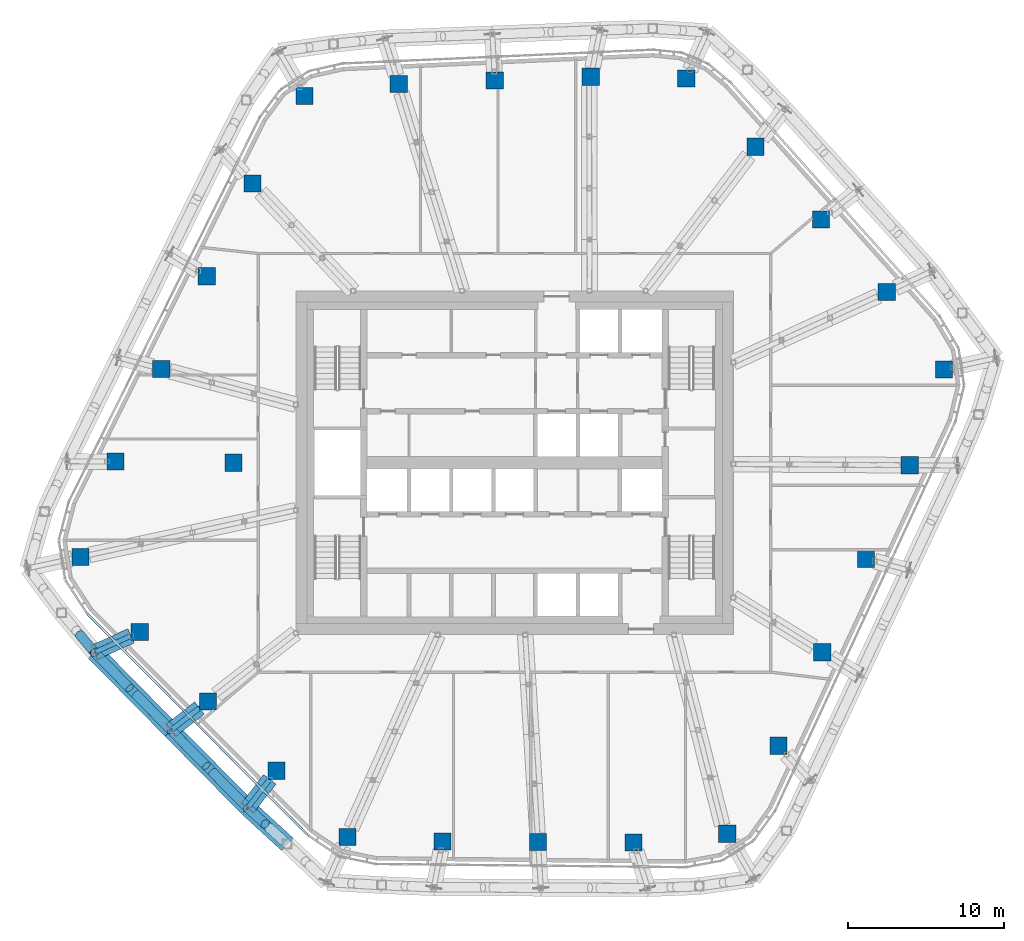
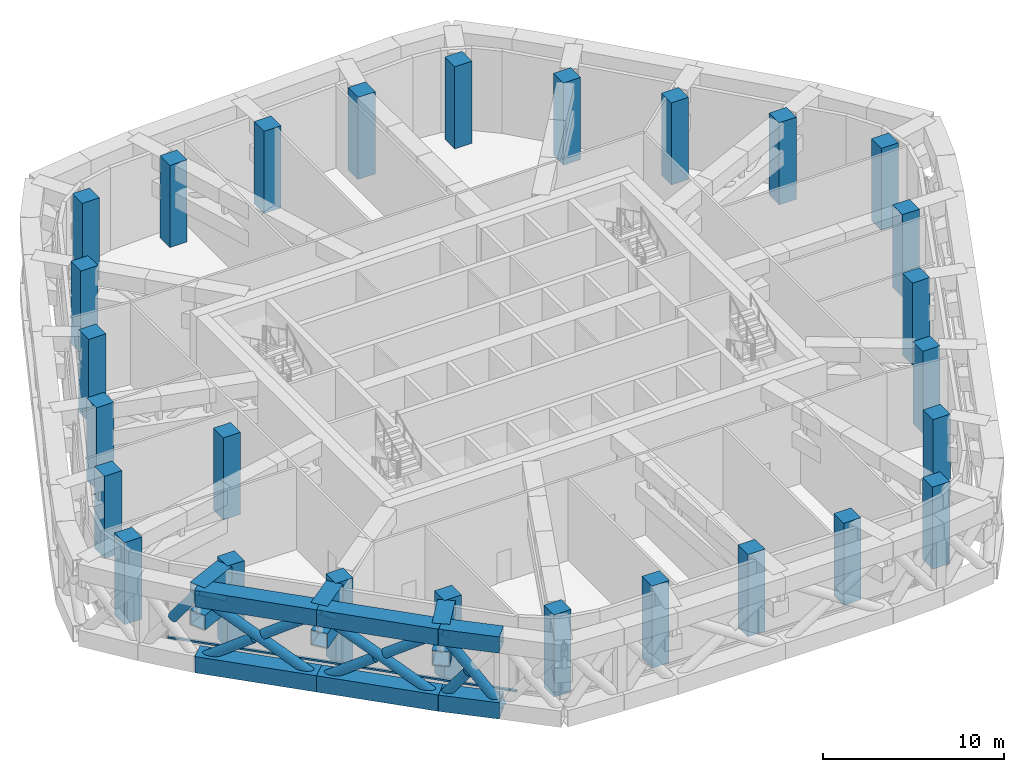
# One storey, part 1 of 31: 27 columns, 25 members, 1 element without a shape of its own.
"""IFC4 building model written with IfcOpenShell, lengths in metres."""

from ifc_helpers import new_model, si_unit, direction, frame, origin, origin_2d, place, context, subcontext, project, spatial, rectangle, hollow_rectangle, hollow_circle, extrude, material, layer, layer_set, material_profile, profile_set, type_object, element, aggregate, save


model = new_model("IFC4")

# Units and contexts
model_context = context("Model", 3, precision=1e-05, world=origin(), true_north=direction((0.0, 1.0)))
body_context = subcontext(model_context, "Body", "Model", "MODEL_VIEW")
ifc_project = project(units=[si_unit("LENGTHUNIT", "METRE"), si_unit("AREAUNIT", "SQUARE_METRE"), si_unit("VOLUMEUNIT", "CUBIC_METRE"), si_unit("PLANEANGLEUNIT", "RADIAN"), si_unit("MASSUNIT", "GRAM", prefix="KILO")], contexts=[model_context])

# Site, building, storey
site_placement = place(None, origin())
site = spatial("IfcSite", under=ifc_project, at=site_placement, CompositionType="ELEMENT")
building_placement = place(site_placement, origin())
building = spatial("IfcBuilding", under=site, at=building_placement, Name="Dongbaek Canopy Tower", CompositionType="ELEMENT")
storey_placement = place(building_placement, frame((0.0, 0.0, 283.199951171875)))
storey = spatial("IfcBuildingStorey", under=building, at=storey_placement, Name="L60", CompositionType="ELEMENT", Elevation=283.199951171875)

# Columns
ifc_material_1 = material(Name="Concrete C70", Category="concrete")
ifc_material_profile_1 = material_profile(ifc_material_1, rectangle(XDim=1.10009765625, YDim=1.10009765625, at=origin_2d()), Name="RC COLUMN 1100x1100 C70")
ifc_profile_set_1 = profile_set([ifc_material_profile_1], Name="Concrete C70")
column_type = type_object("IfcColumnType", Name="RC COLUMN 1100x1100 C70", PredefinedType="COLUMN", material=ifc_profile_set_1)
for number, where, z_axis, x_axis, name in (
    (1, (13.612060546875, -23.74609375, 0.0), (0.0, 0.0, 1.0), (1.0, 0.0, 0.0), "COL:CZ4-01:L60"),
    (2, (7.615966796875, -24.300048828125, 0.0), (0.0, 0.0, 1.0), (1.0, 0.0, 0.0), "COL:CZ4-02:L60"),
    (3, (1.501953125, -24.27197265625, 0.0), (0.0, 0.0, 1.0), (1.0, 0.0, 0.0), "COL:CZ4-03:L60"),
    (4, (-4.611083984375, -24.24609375, 0.0), (0.0, 0.0, 1.0), (1.0, 0.0, 0.0), "COL:CZ4-04:L60"),
    (5, (-10.697021484375, -23.946044921875, 0.0), (0.0, 0.0, 1.0), (1.0, 0.0, 0.0), "COL:CZ4-05:L60"),
    (6, (-15.2470703125, -19.714111328125, 0.0), (0.0, 0.0, 1.0), (1.0, 0.0, 0.0), "COL:CZ4-06:L60"),
    (7, (-19.6220703125, -15.27197265625, 0.0), (0.0, 0.0, 1.0), (1.0, 0.0, 0.0), "COL:CZ4-07:L60"),
    (8, (-23.9970703125, -10.8291015625, 0.0), (0.0, 0.0, 1.0), (1.0, 0.0, 0.0), "COL:CZ4-08:L60"),
    (9, (-27.781982421875, -6.02001953125, 0.0), (0.0, 0.0, 1.0), (1.0, 0.0, 0.0), "COL:CZ4-09:L60"),
    (10, (-25.5400390625, 0.075927734375, 0.0), (0.0, 0.0, 1.0), (1.0, 0.0, 0.0), "COL:CZ4-10:L60"),
    (11, (-22.62109375, 6.010986328125, 0.0), (0.0, 0.0, 1.0), (1.0, 0.0, 0.0), "COL:CZ4-11:L60"),
    (12, (-19.701904296875, 11.945068359375, 0.0), (0.0, 0.0, 1.0), (1.0, 0.0, 0.0), "COL:CZ4-12:L60"),
    (13, (-16.783935546875, 17.8779296875, 0.0), (0.0, 0.0, 1.0), (1.0, 0.0, 0.0), "COL:CZ4-13:L60"),
    (14, (-13.44189453125, 23.490966796875, 0.0), (0.0, 0.0, 1.0), (1.0, 0.0, 0.0), "COL:CZ4-14:L60"),
    (15, (-7.4150390625, 24.242919921875, 0.0), (0.0, 0.0, 1.0), (1.0, 0.0, 0.0), "COL:CZ4-15:L60"),
    (16, (-1.26611328125, 24.47900390625, 0.0), (0.0, 0.0, 1.0), (1.0, 0.0, 0.0), "COL:CZ4-16:L60"),
    (17, (4.883056640625, 24.714111328125, 0.0), (0.0, 0.0, 1.0), (1.0, 0.0, 0.0), "COL:CZ4-17:L60"),
    (18, (10.989990234375, 24.59912109375, 0.0), (0.0, 0.0, 1.0), (1.0, 0.0, 0.0), "COL:CZ4-18:L60"),
    (19, (15.41796875, 20.22900390625, 0.0), (0.0, 0.0, 1.0), (1.0, 0.0, 0.0), "COL:CZ4-19:L60"),
    (20, (19.625, 15.583984375, 0.0), (0.0, 0.0, 1.0), (1.0, 0.0, 0.0), "COL:CZ4-20:L60"),
    (21, (23.8310546875, 10.93896484375, 0.0), (0.0, 0.0, 1.0), (1.0, 0.0, 0.0), "COL:CZ4-21:L60"),
    (22, (27.491943359375, 5.97705078125, 0.0), (0.0, 0.0, 1.0), (1.0, 0.0, 0.0), "COL:CZ4-22:L60"),
    (23, (25.302001953125, -0.152099609375, 0.0), (0.0, 0.0, 1.0), (1.0, 0.0, 0.0), "COL:CZ4-23:L60"),
    (24, (22.4990234375, -6.138916015625, 0.0), (0.0, 0.0, 1.0), (1.0, 0.0, 0.0), "COL:CZ4-24:L60"),
    (25, (19.695068359375, -12.126953125, 0.0), (0.0, 0.0, 1.0), (1.0, 0.0, 0.0), "COL:CZ4-25:L60"),
    (26, (16.889892578125, -18.114013671875, 0.0), (0.0, 0.0, 1.0), (1.0, 0.0, 0.0), "COL:CZ4-26:L60"),
    (27, (-18.0, 0.0, 0.0), (0.0, 0.0, 1.0), (1.0, 0.0, 0.0), "COL:CIZ4-01:L60"),
):
    element("IfcColumn", number, at=place(storey_placement, frame(where, z_axis=z_axis, x_axis=x_axis)), inside=storey, type_object=column_type, Name=name, PredefinedType="COLUMN", context=body_context, shape_type="SweptSolid", body=[
        extrude(rectangle(XDim=1.10009765625, YDim=1.10009765625, at=origin_2d()), origin(), (0.0, 0.0, 1.0), 5.550048828125),
    ])

# Members
ifc_material_2 = material(Name="Steel S355", Category="steel")
ifc_material_profile_2 = material_profile(ifc_material_2, hollow_circle(Radius=0.304931640625, WallThickness=0.01611328125, at=origin_2d()), Name="BELT BRACE CHS 610.0x16.0 Steel S355")
ifc_profile_set_2 = profile_set([ifc_material_profile_2], Name="Steel S355")
member_type_1 = type_object("IfcMemberType", Name="BELT BRACE CHS 610.0x16.0 Steel S355", PredefinedType="BRACE", material=ifc_profile_set_2)
member_1_placement = place(storey_placement, frame((-14.554931640625, -24.41015625, 0.550048828125), z_axis=(-0.450002097924, 0.412990630849, 0.791793439411), x_axis=(-0.676159296098, -0.736755458955, 0.0)))
element("IfcMember", 28, at=member_1_placement, inside=storey, type_object=member_type_1, Name="BELT:L60:4:D1:0", PredefinedType="BRACE", context=body_context, shape_type="SweptSolid", body=[
    extrude(hollow_circle(Radius=0.304931640625, WallThickness=0.01611328125, at=origin_2d()), origin(), (0.0, 0.0, 1.0), 5.6201171875),
])
member_2_placement = place(storey_placement, frame((-17.083984375, -22.089111328125, 0.550048828125), z_axis=(0.449975644303, -0.412983301209, 0.791812296227), x_axis=(0.676174358475, 0.736741635135, 0.0)))
element("IfcMember", 29, at=member_2_placement, inside=storey, type_object=member_type_1, Name="BELT:L60:4:D1:1", PredefinedType="BRACE", context=body_context, shape_type="SweptSolid", body=[
    extrude(hollow_circle(Radius=0.304931640625, WallThickness=0.01611328125, at=origin_2d()), origin(), (0.0, 0.0, 1.0), 2.49462890625),
])
member_3_placement = place(storey_placement, frame((-17.083984375, -22.089111328125, 0.550048828125), z_axis=(-0.591845600941, 0.600894687025, 0.53725632593), x_axis=(-0.71245095743, -0.701721905927, 0.0)))
element("IfcMember", 30, at=member_3_placement, inside=storey, type_object=member_type_1, Name="BELT:L60:5:D0:0", PredefinedType="BRACE", context=body_context, shape_type="SweptSolid", body=[
    extrude(hollow_circle(Radius=0.304931640625, WallThickness=0.01611328125, at=origin_2d()), origin(), (0.0, 0.0, 1.0), 8.28271484375),
])
for number, where, z_axis, x_axis, name in (
    (31, (-21.986083984375, -17.112060546875, 0.550048828125), (0.591873586908, -0.60085692409, 0.53726773018), (0.712412319993, 0.701761131954, 0.0), "BELT:L60:5:D0:1"),
    (32, (-17.083984375, -22.089111328125, 5.0), (-0.59180907664, 0.600920741921, -0.537267418271), (-0.712487818426, -0.701684479374, 0.0), "BELT:L60:5:D0:2"),
):
    element("IfcMember", number, at=place(storey_placement, frame(where, z_axis=z_axis, x_axis=x_axis)), inside=storey, type_object=member_type_1, Name=name, PredefinedType="BRACE", context=body_context, shape_type="SweptSolid", body=[
        extrude(hollow_circle(Radius=0.304931640625, WallThickness=0.01611328125, at=origin_2d()), origin(), (0.0, 0.0, 1.0), 3.8046875),
    ])
member_4_placement = place(storey_placement, frame((-21.986083984375, -17.112060546875, 0.550048828125), z_axis=(-0.591861119336, 0.600938563054, 0.537190151486), x_axis=(-0.712467373936, -0.701705238028, 0.0)))
element("IfcMember", 33, at=member_4_placement, inside=storey, type_object=member_type_1, Name="BELT:L60:6:D0:0", PredefinedType="BRACE", context=body_context, shape_type="SweptSolid", body=[
    extrude(hollow_circle(Radius=0.304931640625, WallThickness=0.01611328125, at=origin_2d()), origin(), (0.0, 0.0, 1.0), 8.28369140625),
])
member_5_placement = place(storey_placement, frame((-26.888916015625, -12.134033203125, 0.550048828125), z_axis=(0.591869633997, -0.600916096695, 0.537205901946), x_axis=(0.712449211349, 0.701723678699, 0.0)))
element("IfcMember", 34, at=member_5_placement, inside=storey, type_object=member_type_1, Name="BELT:L60:6:D0:1", PredefinedType="BRACE", context=body_context, shape_type="SweptSolid", body=[
    extrude(hollow_circle(Radius=0.304931640625, WallThickness=0.01611328125, at=origin_2d()), origin(), (0.0, 0.0, 1.0), 3.80517578125),
])
member_6_placement = place(storey_placement, frame((-21.986083984375, -17.112060546875, 5.0), z_axis=(-0.591846814942, 0.600957085698, -0.537185190407), x_axis=(-0.712486665221, -0.701685650332, 0.0)))
element("IfcMember", 35, at=member_6_placement, inside=storey, type_object=member_type_1, Name="BELT:L60:6:D0:2", PredefinedType="BRACE", context=body_context, shape_type="SweptSolid", body=[
    extrude(hollow_circle(Radius=0.304931640625, WallThickness=0.01611328125, at=origin_2d()), origin(), (0.0, 0.0, 1.0), 3.805419921875),
])
member_7_placement = place(storey_placement, frame((-26.888916015625, -12.134033203125, 5.0), z_axis=(-0.381681023984, 0.457559171721, -0.803093519028), x_axis=(-0.767906128486, -0.640562391836, 0.0)))
element("IfcMember", 36, at=member_7_placement, inside=storey, type_object=member_type_1, Name="BELT:L60:7:D0:2", PredefinedType="BRACE", context=body_context, shape_type="SweptSolid", body=[
    extrude(hollow_circle(Radius=0.304931640625, WallThickness=0.01611328125, at=origin_2d()), origin(), (0.0, 0.0, 1.0), 2.45166015625),
])
ifc_material_3 = material(Name="Steel S355", Category="steel")
ifc_material_profile_3 = material_profile(ifc_material_3, hollow_rectangle(XDim=1.10009765625, YDim=1.10009765625, WallThickness=0.054931640625, at=origin_2d()), Name="BELT CHORD BOX 1100x1100x55 Steel S355")
ifc_profile_set_3 = profile_set([ifc_material_profile_3], Name="Steel S355")
member_type_2 = type_object("IfcMemberType", Name="BELT CHORD BOX 1100x1100x55 Steel S355", PredefinedType="CHORD", material=ifc_profile_set_3)
for number, where, z_axis, x_axis, name in (
    (37, (-14.554931640625, -24.41015625, 0.550048828125), (-0.736755458955, 0.676159296098, 0.0), (-0.676159296098, -0.736755458955, 0.0), "BELT:L60:4:CB1"),
    (38, (-14.554931640625, -24.41015625, 5.0), (-0.736755458955, 0.676159296098, 0.0), (-0.676159296098, -0.736755458955, 0.0), "BELT:L60:4:CT1"),
):
    element("IfcMember", number, at=place(storey_placement, frame(where, z_axis=z_axis, x_axis=x_axis)), inside=storey, type_object=member_type_2, Name=name, PredefinedType="CHORD", context=body_context, shape_type="SweptSolid", body=[
        extrude(hollow_rectangle(XDim=1.10009765625, YDim=1.10009765625, WallThickness=0.054931640625, at=origin_2d()), origin(), (0.0, 0.0, 1.0), 3.4326171875),
    ])
for number, where, z_axis, x_axis, name in (
    (39, (-17.083984375, -22.089111328125, 0.550048828125), (-0.701721905927, 0.71245095743, 0.0), (-0.71245095743, -0.701721905927, 0.0), "BELT:L60:5:CB0"),
    (40, (-17.083984375, -22.089111328125, 5.0), (-0.701721905927, 0.71245095743, 0.0), (-0.71245095743, -0.701721905927, 0.0), "BELT:L60:5:CT0"),
):
    element("IfcMember", number, at=place(storey_placement, frame(where, z_axis=z_axis, x_axis=x_axis)), inside=storey, type_object=member_type_2, Name=name, PredefinedType="CHORD", context=body_context, shape_type="SweptSolid", body=[
        extrude(hollow_rectangle(XDim=1.10009765625, YDim=1.10009765625, WallThickness=0.054931640625, at=origin_2d()), origin(), (0.0, 0.0, 1.0), 6.98583984375),
    ])
for number, where, z_axis, x_axis, name in (
    (41, (-21.986083984375, -17.112060546875, 0.550048828125), (-0.701705238028, 0.712467373936, 0.0), (-0.712467373936, -0.701705238028, 0.0), "BELT:L60:6:CB0"),
    (42, (-21.986083984375, -17.112060546875, 5.0), (-0.701705238028, 0.712467373936, 0.0), (-0.712467373936, -0.701705238028, 0.0), "BELT:L60:6:CT0"),
):
    element("IfcMember", number, at=place(storey_placement, frame(where, z_axis=z_axis, x_axis=x_axis)), inside=storey, type_object=member_type_2, Name=name, PredefinedType="CHORD", context=body_context, shape_type="SweptSolid", body=[
        extrude(hollow_rectangle(XDim=1.10009765625, YDim=1.10009765625, WallThickness=0.054931640625, at=origin_2d()), origin(), (0.0, 0.0, 1.0), 6.987060546875),
    ])
ifc_material_4 = material(Name="Steel S355", Category="steel")
ifc_material_profile_4 = material_profile(ifc_material_4, hollow_circle(Radius=0.1591796875, WallThickness=0.01025390625, at=origin_2d()), Name="BRACE CHS 318.5x10.3 Steel S355")
ifc_profile_set_4 = profile_set([ifc_material_profile_4], Name="Steel S355")
member_type_3 = type_object("IfcMemberType", Name="BRACE CHS 318.5x10.3 Steel S355", PredefinedType="BRACE", material=ifc_profile_set_4)
member_8_placement = place(storey_placement, frame((-15.67236328125, -20.263916015625, 3.199951171875), z_axis=(-0.477300313415, -0.617138904029, 0.62555893723), x_axis=(0.791024309365, -0.611784718666, 0.0)))
element("IfcMember", 43, at=member_8_placement, inside=storey, type_object=member_type_3, Name="TRUSS:L60:5:D0", PredefinedType="BRACE", context=body_context, shape_type="SweptSolid", body=[
    extrude(hollow_circle(Radius=0.1591796875, WallThickness=0.01025390625, at=origin_2d()), origin(), (0.0, 0.0, 1.0), 2.95751953125),
])
member_9_placement = place(storey_placement, frame((-24.547119140625, -11.0771484375, 3.199951171875), z_axis=(-0.739658592539, -0.333817978222, 0.584354963955), x_axis=(0.411360113342, -0.91147290533, 0.0)))
element("IfcMember", 44, at=member_9_placement, inside=storey, type_object=member_type_3, Name="TRUSS:L60:7:D0", PredefinedType="BRACE", context=body_context, shape_type="SweptSolid", body=[
    extrude(hollow_circle(Radius=0.1591796875, WallThickness=0.01025390625, at=origin_2d()), origin(), (0.0, 0.0, 1.0), 3.166015625),
])
ifc_material_5 = material(Name="Steel S355", Category="steel")
ifc_material_profile_5 = material_profile(ifc_material_5, hollow_rectangle(XDim=1.0, YDim=1.0, WallThickness=0.050048828125, at=origin_2d()), Name="CHORD BOX 1000x1000x50 Steel S355")
ifc_profile_set_5 = profile_set([ifc_material_profile_5], Name="Steel S355")
member_type_4 = type_object("IfcMemberType", Name="CHORD BOX 1000x1000x50 Steel S355", PredefinedType="CHORD", material=ifc_profile_set_5)
for number, where, z_axis, x_axis, name in (
    (45, (-15.67236328125, -20.263916015625, 3.199951171875), (-0.611784718666, -0.791024309365, 0.0), (0.791024309365, -0.611784718666, 0.0), "TRUSS:L60:5:CB"),
    (46, (-15.67236328125, -20.263916015625, 5.050048828125), (-0.611784718666, -0.791024309365, 0.0), (0.791024309365, -0.611784718666, 0.0), "TRUSS:L60:5:CT0"),
):
    element("IfcMember", number, at=place(storey_placement, frame(where, z_axis=z_axis, x_axis=x_axis)), inside=storey, type_object=member_type_4, Name=name, PredefinedType="CHORD", context=body_context, shape_type="SweptSolid", body=[
        extrude(hollow_rectangle(XDim=1.0, YDim=1.0, WallThickness=0.050048828125, at=origin_2d()), origin(), (0.0, 0.0, 1.0), 2.307373046875),
    ])
for number, where, z_axis, x_axis, name in (
    (47, (-24.547119140625, -11.0771484375, 3.199951171875), (-0.91147290533, -0.411360113342, 0.0), (0.411360113342, -0.91147290533, 0.0), "TRUSS:L60:7:CB"),
    (48, (-24.547119140625, -11.0771484375, 5.050048828125), (-0.91147290533, -0.411360113342, 0.0), (0.411360113342, -0.91147290533, 0.0), "TRUSS:L60:7:CT0"),
):
    element("IfcMember", number, at=place(storey_placement, frame(where, z_axis=z_axis, x_axis=x_axis)), inside=storey, type_object=member_type_4, Name=name, PredefinedType="CHORD", context=body_context, shape_type="SweptSolid", body=[
        extrude(hollow_rectangle(XDim=1.0, YDim=1.0, WallThickness=0.050048828125, at=origin_2d()), origin(), (0.0, 0.0, 1.0), 2.5693359375),
    ])

# Curtain wall, member
ifc_material_6 = material(Name="Aluminium 6063-T6 pale anodised", Category="aluminium")
ifc_layer = layer(ifc_material_6, 0.14990234375)
ifc_layer_set = layer_set([ifc_layer], Name="CW-7 louvre curtain wall")
curtain_wall_type = type_object("IfcCurtainWallType", Name="CW-7 louvre curtain wall", PredefinedType="NOTDEFINED", material=ifc_layer_set)
curtain_wall_placement = place(storey_placement, origin())
curtain_wall = element("IfcCurtainWall", 49, at=curtain_wall_placement, inside=storey, type_object=curtain_wall_type, Name="CW-7 louvre wall L60 F3", PredefinedType="NOTDEFINED")
ifc_material_7 = material(Name="Aluminium 6063-T6 pale anodised", Category="aluminium")
ifc_material_profile_6 = material_profile(ifc_material_7, rectangle(XDim=0.14990234375, YDim=0.1201171875, at=origin_2d()), Name="CW-7 transom 120 x 150")
ifc_profile_set_6 = profile_set([ifc_material_profile_6], Name="Aluminium 6063-T6 pale anodised")
member_type_5 = type_object("IfcMemberType", Name="CW-7 transom 120 x 150", PredefinedType="USERDEFINED", material=ifc_profile_set_6)
member_10_placement = place(storey_placement, frame((-27.347900390625, -9.656005859375, 0.715087890625), z_axis=(0.705769458317, -0.7084415796, 0.0), x_axis=(0.7084415796, 0.705769458317, 0.0)))
member_10 = element("IfcMember", 50, at=member_10_placement, type_object=member_type_5, Name="CW-7 transom L60 F3.1", ObjectType="TRANSOM", PredefinedType="USERDEFINED", context=body_context, shape_type="SweptSolid", body=[
    extrude(rectangle(XDim=0.14990234375, YDim=0.1201171875, at=origin_2d()), origin(), (0.0, 0.0, 1.0), 20.009033203125),
])
aggregate(curtain_wall, [member_10])

# Members
ifc_material_8 = material(Name="Steel S355", Category="steel")
ifc_material_profile_7 = material_profile(ifc_material_8, hollow_circle(Radius=0.1591796875, WallThickness=0.01025390625, at=origin_2d()), Name="OUTRIGGER BRACE CHS 318.5x10.3 Steel S355")
ifc_profile_set_7 = profile_set([ifc_material_profile_7], Name="Steel S355")
member_type_6 = type_object("IfcMemberType", Name="OUTRIGGER BRACE CHS 318.5x10.3 Steel S355", PredefinedType="BRACE", material=ifc_profile_set_7)
member_11_placement = place(storey_placement, frame((-20.172119140625, -15.7001953125, 3.199951171875), z_axis=(-0.61475524718, -0.478483121728, 0.627000708362), x_axis=(0.614212638141, -0.78914056742, 0.0)))
element("IfcMember", 51, at=member_11_placement, inside=storey, type_object=member_type_6, Name="TRUSS:L60:6s:D0", PredefinedType="BRACE", context=body_context, shape_type="SweptSolid", body=[
    extrude(hollow_circle(Radius=0.1591796875, WallThickness=0.01025390625, at=origin_2d()), origin(), (0.0, 0.0, 1.0), 2.95068359375),
])
ifc_material_9 = material(Name="Steel S355", Category="steel")
ifc_material_profile_8 = material_profile(ifc_material_9, hollow_rectangle(XDim=1.0, YDim=1.0, WallThickness=0.050048828125, at=origin_2d()), Name="OUTRIGGER CHORD BOX 1000x1000x50 Steel S355")
ifc_profile_set_8 = profile_set([ifc_material_profile_8], Name="Steel S355")
member_type_7 = type_object("IfcMemberType", Name="OUTRIGGER CHORD BOX 1000x1000x50 Steel S355", PredefinedType="CHORD", material=ifc_profile_set_8)
for number, where, z_axis, x_axis, name in (
    (52, (-20.172119140625, -15.7001953125, 3.199951171875), (-0.78914056742, -0.614212638141, 0.0), (0.614212638141, -0.78914056742, 0.0), "TRUSS:L60:6s:CB"),
    (53, (-20.172119140625, -15.7001953125, 5.050048828125), (-0.78914056742, -0.614212638141, 0.0), (0.614212638141, -0.78914056742, 0.0), "TRUSS:L60:6s:CT0"),
):
    element("IfcMember", number, at=place(storey_placement, frame(where, z_axis=z_axis, x_axis=x_axis)), inside=storey, type_object=member_type_7, Name=name, PredefinedType="CHORD", context=body_context, shape_type="SweptSolid", body=[
        extrude(hollow_rectangle(XDim=1.0, YDim=1.0, WallThickness=0.050048828125, at=origin_2d()), origin(), (0.0, 0.0, 1.0), 2.298583984375),
    ])

save(model, "model.ifc")
